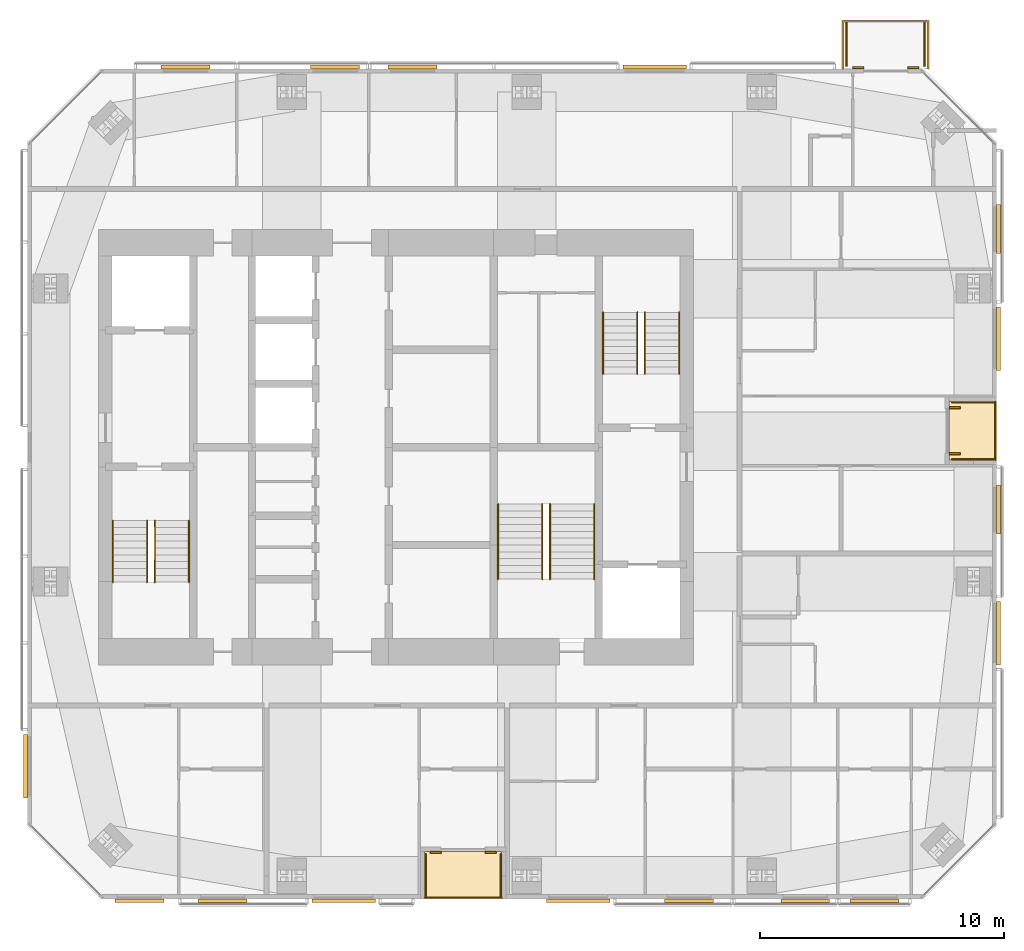
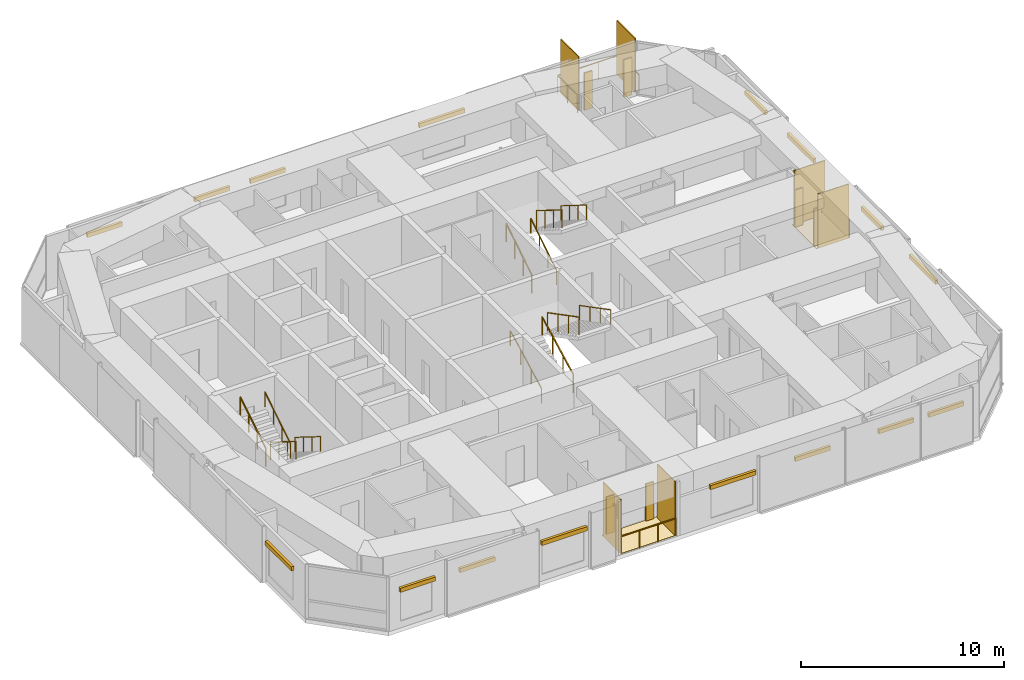
# One storey, part 20 of 20: 28 shading devices, 15 railings, 2 coverings.
"""IFC4 building model written with IfcOpenShell, lengths in metres."""

from ifc_helpers import new_model, si_unit, direction, frame, origin, origin_2d, place, context, subcontext, project, spatial, polyline, rectangle, circle, outline, extrude, material, layer, layer_set, constituent, constituent_set, type_object, element, save


model = new_model("IFC4")

# Units and contexts
model_context = context("Model", 3, precision=1e-05, world=origin(), true_north=direction((0.0, 1.0)))
body_context = subcontext(model_context, "Body", "Model", "MODEL_VIEW")
ifc_project = project(units=[si_unit("LENGTHUNIT", "METRE"), si_unit("AREAUNIT", "SQUARE_METRE"), si_unit("VOLUMEUNIT", "CUBIC_METRE"), si_unit("PLANEANGLEUNIT", "RADIAN"), si_unit("MASSUNIT", "GRAM", prefix="KILO")], contexts=[model_context])

# Site, building, storey
site_placement = place(None, origin())
site = spatial("IfcSite", under=ifc_project, at=site_placement, CompositionType="ELEMENT")
building_placement = place(site_placement, origin())
building = spatial("IfcBuilding", under=site, at=building_placement, Name="Jalousie Tower", CompositionType="ELEMENT")
storey_placement = place(building_placement, frame((0.0, 0.0, 238.949951171875)))
storey = spatial("IfcBuildingStorey", under=building, at=storey_placement, Name="L65", CompositionType="ELEMENT", Elevation=238.949951171875)

# Shading devices
ifc_material_1 = material(Name="Aluminium impact-rated louvred storm shutter", Category="aluminium")
shading_device_type_1 = type_object("IfcShadingDeviceType", Name="BI-FOLD STORM SHUTTER 900x2250", PredefinedType="SHUTTER", material=ifc_material_1)
for number, where, z_axis, x_axis, name in (
    (1, (33.52490234375, 1.909912109375, 0.0), (0.0, 0.0, 1.0), (1.0, 0.0, 0.0), "Loggia storm shutter L65"),
    (2, (35.77490234375, 1.909912109375, 0.0), (0.0, 0.0, 1.0), (1.0, 0.0, 0.0), "Loggia storm shutter L65"),
    (3, (54.77490234375, 18.235107421875, 0.0), (0.0, 0.0, 1.0), (-1.0, 0.0, 0.0), "Loggia storm shutter L65"),
    (4, (54.77490234375, 20.114990234375, 0.0), (0.0, 0.0, 1.0), (-1.0, 0.0, 0.0), "Loggia storm shutter L65"),
    (5, (53.07373046875, 34.0400390625, 0.0), (0.0, 0.0, 1.0), (-1.0, 0.0, 0.0), "Balcony storm shutter L65"),
    (6, (50.82373046875, 34.0400390625, 0.0), (0.0, 0.0, 1.0), (-1.0, 0.0, 0.0), "Balcony storm shutter L65"),
):
    element("IfcShadingDevice", number, at=place(storey_placement, frame(where, z_axis=z_axis, x_axis=x_axis)), inside=storey, type_object=shading_device_type_1, Name=name, PredefinedType="SHUTTER", context=body_context, shape_type="SweptSolid", body=[
        extrude(rectangle(XDim=0.449951171875, YDim=0.080078125, at=origin_2d()), origin(), (0.0, 0.0, 1.0), 2.25),
    ])

# Railings
ifc_material_2 = material(Name="Powder-coated aluminium fretwork", Category="aluminium")
railing_type_1 = type_object("IfcRailingType", Name="FRETWORK BALUSTRADE 1100", PredefinedType="BALUSTRADE", material=ifc_material_2)
railing_1_placement = place(storey_placement, frame((33.074951171875, 0.050048828125, 0.0)))
element("IfcRailing", 7, at=railing_1_placement, inside=storey, type_object=railing_type_1, Name="Loggia fretwork balustrade L65", PredefinedType="BALUSTRADE", context=body_context, shape_type="SweptSolid", body=[
    extrude(rectangle(XDim=0.048095703125, YDim=0.048095703125, at=origin_2d()), frame((0.0, 0.0, 1.076171875), z_axis=(1.0, 0.0, 0.0), x_axis=(0.0, 1.0, 0.0)), (0.0, 0.0, 1.0), 3.150146484375),
    extrude(circle(Radius=0.02099609375, at=origin_2d()), origin(), (0.0, 0.0, 1.0), 1.052001953125),
    extrude(circle(Radius=0.02099609375, at=origin_2d()), frame((1.050048828125, 0.0, 0.0)), (0.0, 0.0, 1.0), 1.052001953125),
    extrude(circle(Radius=0.02099609375, at=origin_2d()), frame((2.10009765625, 0.0, 0.0)), (0.0, 0.0, 1.0), 1.052001953125),
    extrude(circle(Radius=0.02099609375, at=origin_2d()), frame((3.150146484375, 0.0, 0.0)), (0.0, 0.0, 1.0), 1.052001953125),
])
railing_2_placement = place(storey_placement, frame((56.449951171875, 17.97509765625, 0.0)))
element("IfcRailing", 8, at=railing_2_placement, inside=storey, type_object=railing_type_1, Name="Loggia fretwork balustrade L65", PredefinedType="BALUSTRADE", context=body_context, shape_type="SweptSolid", body=[
    extrude(rectangle(XDim=0.048095703125, YDim=0.048095703125, at=origin_2d()), frame((0.0, 0.0, 1.076171875), z_axis=(0.0, 1.0, 0.0), x_axis=(-1.0, 0.0, 0.0)), (0.0, 0.0, 1.0), 2.39990234375),
    extrude(circle(Radius=0.02099609375, at=origin_2d()), origin(), (0.0, 0.0, 1.0), 1.052001953125),
    extrude(circle(Radius=0.02099609375, at=origin_2d()), frame((0.0, 1.199951171875, 0.0)), (0.0, 0.0, 1.0), 1.052001953125),
    extrude(circle(Radius=0.02099609375, at=origin_2d()), frame((0.0, 2.39990234375, 0.0)), (0.0, 0.0, 1.0), 1.052001953125),
])
railing_3_placement = place(storey_placement, frame((53.69873046875, 34.0, 0.0)))
element("IfcRailing", 9, at=railing_3_placement, inside=storey, type_object=railing_type_1, Name="Balcony fretwork balustrade L65", PredefinedType="BALUSTRADE", context=body_context, shape_type="SweptSolid", body=[
    extrude(rectangle(XDim=0.048095703125, YDim=0.048095703125, at=origin_2d()), frame((0.0, 0.0, 1.076171875), z_axis=(0.0, 1.0, 0.0), x_axis=(-1.0, 0.0, 0.0)), (0.0, 0.0, 1.0), 1.949951171875),
    extrude(rectangle(XDim=0.048095703125, YDim=0.048095703125, at=origin_2d()), frame((0.0, 1.949951171875, 1.076171875), z_axis=(-1.0, 0.0, 0.0), x_axis=(0.0, -1.0, 0.0)), (0.0, 0.0, 1.0), 3.5),
    extrude(rectangle(XDim=0.048095703125, YDim=0.048095703125, at=origin_2d()), frame((-3.5, 1.949951171875, 1.076171875), z_axis=(0.0, -1.0, 0.0), x_axis=(1.0, 0.0, 0.0)), (0.0, 0.0, 1.0), 1.949951171875),
    extrude(circle(Radius=0.02099609375, at=origin_2d()), origin(), (0.0, 0.0, 1.0), 1.052001953125),
    extrude(circle(Radius=0.02099609375, at=origin_2d()), frame((0.0, 0.97509765625, 0.0)), (0.0, 0.0, 1.0), 1.052001953125),
    extrude(circle(Radius=0.02099609375, at=origin_2d()), frame((0.0, 1.949951171875, 0.0)), (0.0, 0.0, 1.0), 1.052001953125),
    extrude(circle(Radius=0.02099609375, at=origin_2d()), frame((-1.166748046875, 1.949951171875, 0.0)), (0.0, 0.0, 1.0), 1.052001953125),
    extrude(circle(Radius=0.02099609375, at=origin_2d()), frame((-2.333251953125, 1.949951171875, 0.0)), (0.0, 0.0, 1.0), 1.052001953125),
    extrude(circle(Radius=0.02099609375, at=origin_2d()), frame((-3.5, 1.949951171875, 0.0)), (0.0, 0.0, 1.0), 1.052001953125),
    extrude(circle(Radius=0.02099609375, at=origin_2d()), frame((-3.5, 0.97509765625, 0.0)), (0.0, 0.0, 1.0), 1.052001953125),
    extrude(circle(Radius=0.02099609375, at=origin_2d()), frame((-3.5, 0.0, 0.0)), (0.0, 0.0, 1.0), 1.052001953125),
])

# Shading devices
ifc_material_3 = material(Name="Powder-coated aluminium louvres", Category="aluminium")
ifc_layer_1 = layer(ifc_material_3, 0.06005859375)
ifc_layer_set_1 = layer_set([ifc_layer_1], Name="Powder-coated aluminium louvres")
shading_device_type_2 = type_object("IfcShadingDeviceType", Name="JALOUSIE LOUVRE SCREEN", PredefinedType="JALOUSIE", material=ifc_layer_set_1)
for number, where, z_axis, x_axis, name in (
    (10, (33.10498046875, 0.97509765625, 0.0), (0.0, 0.0, 1.0), (1.0, 0.0, 0.0), "Loggia jalousie louvre screen L65"),
    (11, (36.195068359375, 0.97509765625, 0.0), (0.0, 0.0, 1.0), (1.0, 0.0, 0.0), "Loggia jalousie louvre screen L65"),
    (12, (55.52490234375, 18.0048828125, 0.0), (0.0, 0.0, 1.0), (0.0, 1.0, 0.0), "Loggia jalousie louvre screen L65"),
    (13, (55.52490234375, 20.344970703125, 0.0), (0.0, 0.0, 1.0), (0.0, 1.0, 0.0), "Loggia jalousie louvre screen L65"),
):
    element("IfcShadingDevice", number, at=place(storey_placement, frame(where, z_axis=z_axis, x_axis=x_axis)), inside=storey, type_object=shading_device_type_2, Name=name, PredefinedType="JALOUSIE", context=body_context, shape_type="SweptSolid", body=[
        extrude(rectangle(XDim=0.06005859375, YDim=1.75, at=origin_2d()), origin(), (0.0, 0.0, 1.0), 3.260009765625),
    ])
for number, where, z_axis, x_axis, name in (
    (14, (53.548583984375, 35.0, 0.0), (0.0, 0.0, 1.0), (-1.0, 0.0, 0.0), "Jalousie louvre screen L65"),
    (15, (50.3486328125, 35.0, 0.0), (0.0, 0.0, 1.0), (-1.0, 0.0, 0.0), "Jalousie louvre screen L65"),
):
    element("IfcShadingDevice", number, at=place(storey_placement, frame(where, z_axis=z_axis, x_axis=x_axis)), inside=storey, type_object=shading_device_type_2, Name=name, PredefinedType="JALOUSIE", context=body_context, shape_type="SweptSolid", body=[
        extrude(rectangle(XDim=0.06005859375, YDim=1.800048828125, at=origin_2d()), origin(), (0.0, 0.0, 1.0), 3.260009765625),
    ])

# Railings
ifc_material_4 = material(Name="Steel ASTM A500 Grade C", Category="steel")
ifc_constituent_1 = constituent(ifc_material_4, Name="Body")
ifc_material_5 = material(Name="Hot-dip galvanised zinc coating")
ifc_constituent_2 = constituent(ifc_material_5, Name="Finish")
ifc_constituent_set_1 = constituent_set(constituents=[ifc_constituent_1, ifc_constituent_2])
railing_type_2 = type_object("IfcRailingType", Name="STAIR GUARD 1100", PredefinedType="GUARDRAIL", material=ifc_constituent_set_1)
railing_4_placement = place(storey_placement, frame((22.017578125, 15.49755859375, 0.175048828125)))
element("IfcRailing", 16, at=railing_4_placement, inside=storey, type_object=railing_type_2, Name="Exit stair A guard L65 flight 1", PredefinedType="GUARDRAIL", context=body_context, shape_type="SweptSolid", body=[
    extrude(rectangle(XDim=0.048095703125, YDim=0.048095703125, at=origin_2d()), frame((0.0, 0.0, 1.076171875), z_axis=(0.0, -0.848007534815, 0.529984170421), x_axis=(1.0, 0.0, 0.0)), (0.0, 0.0, 1.0), 2.9716796875),
    extrude(circle(Radius=0.02099609375, at=origin_2d()), origin(), (0.0, 0.0, 1.0), 1.052001953125),
    extrude(circle(Radius=0.02099609375, at=origin_2d()), frame((0.0, -0.840087890625, 0.52490234375)), (0.0, 0.0, 1.0), 1.052001953125),
    extrude(circle(Radius=0.02099609375, at=origin_2d()), frame((0.0, -1.679931640625, 1.050048828125)), (0.0, 0.0, 1.0), 1.052001953125),
    extrude(circle(Radius=0.02099609375, at=origin_2d()), frame((0.0, -2.52001953125, 1.574951171875)), (0.0, 0.0, 1.0), 1.052001953125),
])
for number, where, name in (
    (17, (20.304931640625, 12.9775390625, 1.925048828125), "Exit stair A guard L65 flight 2"),
    (18, (40.3798828125, 21.50244140625, 0.175048828125), "Exit stair B guard L65 flight 1"),
):
    element("IfcRailing", number, at=place(storey_placement, frame(where)), inside=storey, type_object=railing_type_2, Name=name, PredefinedType="GUARDRAIL", context=body_context, shape_type="SweptSolid", body=[
        extrude(rectangle(XDim=0.048095703125, YDim=0.048095703125, at=origin_2d()), frame((0.0, 0.0, 1.076171875), z_axis=(0.0, 0.848007534815, 0.529984170421), x_axis=(-1.0, 0.0, 0.0)), (0.0, 0.0, 1.0), 2.9716796875),
        extrude(circle(Radius=0.02099609375, at=origin_2d()), origin(), (0.0, 0.0, 1.0), 1.052001953125),
        extrude(circle(Radius=0.02099609375, at=origin_2d()), frame((0.0, 0.840087890625, 0.52490234375)), (0.0, 0.0, 1.0), 1.052001953125),
        extrude(circle(Radius=0.02099609375, at=origin_2d()), frame((0.0, 1.679931640625, 1.050048828125)), (0.0, 0.0, 1.0), 1.052001953125),
        extrude(circle(Radius=0.02099609375, at=origin_2d()), frame((0.0, 2.52001953125, 1.574951171875)), (0.0, 0.0, 1.0), 1.052001953125),
    ])
railing_5_placement = place(storey_placement, frame((42.092529296875, 24.0224609375, 1.925048828125)))
element("IfcRailing", 19, at=railing_5_placement, inside=storey, type_object=railing_type_2, Name="Exit stair B guard L65 flight 2", PredefinedType="GUARDRAIL", context=body_context, shape_type="SweptSolid", body=[
    extrude(rectangle(XDim=0.048095703125, YDim=0.048095703125, at=origin_2d()), frame((0.0, 0.0, 1.076171875), z_axis=(0.0, -0.848007534815, 0.529984170421), x_axis=(1.0, 0.0, 0.0)), (0.0, 0.0, 1.0), 2.9716796875),
    extrude(circle(Radius=0.02099609375, at=origin_2d()), origin(), (0.0, 0.0, 1.0), 1.052001953125),
    extrude(circle(Radius=0.02099609375, at=origin_2d()), frame((0.0, -0.840087890625, 0.52490234375)), (0.0, 0.0, 1.0), 1.052001953125),
    extrude(circle(Radius=0.02099609375, at=origin_2d()), frame((0.0, -1.679931640625, 1.050048828125)), (0.0, 0.0, 1.0), 1.052001953125),
    extrude(circle(Radius=0.02099609375, at=origin_2d()), frame((0.0, -2.52001953125, 1.574951171875)), (0.0, 0.0, 1.0), 1.052001953125),
])
railing_6_placement = place(storey_placement, frame((37.89501953125, 13.097412109375, 0.145751953125)))
element("IfcRailing", 20, at=railing_6_placement, inside=storey, type_object=railing_type_2, Name="Exit stair C guard L65 flight 1", PredefinedType="GUARDRAIL", context=body_context, shape_type="SweptSolid", body=[
    extrude(rectangle(XDim=0.048095703125, YDim=0.048095703125, at=origin_2d()), frame((0.0, 0.0, 1.076171875), z_axis=(0.0, 0.886909283822, 0.461943635383), x_axis=(-1.0, 0.0, 0.0)), (0.0, 0.0, 1.0), 3.472900390625),
    extrude(circle(Radius=0.02099609375, at=origin_2d()), origin(), (0.0, 0.0, 1.0), 1.052001953125),
    extrude(circle(Radius=0.02099609375, at=origin_2d()), frame((0.0, 1.026611328125, 0.53466796875)), (0.0, 0.0, 1.0), 1.052001953125),
    extrude(circle(Radius=0.02099609375, at=origin_2d()), frame((0.0, 2.053466796875, 1.069580078125)), (0.0, 0.0, 1.0), 1.052001953125),
    extrude(circle(Radius=0.02099609375, at=origin_2d()), frame((0.0, 3.080078125, 1.604248046875)), (0.0, 0.0, 1.0), 1.052001953125),
])
railing_7_placement = place(storey_placement, frame((38.205078125, 16.177490234375, 1.895751953125)))
element("IfcRailing", 21, at=railing_7_placement, inside=storey, type_object=railing_type_2, Name="Exit stair C guard L65 flight 2", PredefinedType="GUARDRAIL", context=body_context, shape_type="SweptSolid", body=[
    extrude(rectangle(XDim=0.048095703125, YDim=0.048095703125, at=origin_2d()), frame((0.0, 0.0, 1.076171875), z_axis=(0.0, -0.886909283822, 0.461943635383), x_axis=(1.0, 0.0, 0.0)), (0.0, 0.0, 1.0), 3.472900390625),
    extrude(circle(Radius=0.02099609375, at=origin_2d()), origin(), (0.0, 0.0, 1.0), 1.052001953125),
    extrude(circle(Radius=0.02099609375, at=origin_2d()), frame((0.0, -1.026611328125, 0.53466796875)), (0.0, 0.0, 1.0), 1.052001953125),
    extrude(circle(Radius=0.02099609375, at=origin_2d()), frame((0.0, -2.053466796875, 1.069580078125)), (0.0, 0.0, 1.0), 1.052001953125),
    extrude(circle(Radius=0.02099609375, at=origin_2d()), frame((0.0, -3.080078125, 1.604248046875)), (0.0, 0.0, 1.0), 1.052001953125),
])
ifc_material_6 = material(Name="Steel ASTM A500 Grade C", Category="steel")
ifc_constituent_3 = constituent(ifc_material_6, Name="Body")
ifc_material_7 = material(Name="Hot-dip galvanised zinc coating")
ifc_constituent_4 = constituent(ifc_material_7, Name="Finish")
ifc_constituent_set_2 = constituent_set(constituents=[ifc_constituent_3, ifc_constituent_4])
railing_type_3 = type_object("IfcRailingType", Name="STAIR HANDRAIL 900", PredefinedType="HANDRAIL", material=ifc_constituent_set_2)
railing_8_placement = place(storey_placement, frame((23.420166015625, 15.49755859375, 0.175048828125)))
element("IfcRailing", 22, at=railing_8_placement, inside=storey, type_object=railing_type_3, Name="Exit stair A handrail L65 flight 1", PredefinedType="HANDRAIL", context=body_context, shape_type="SweptSolid", body=[
    extrude(circle(Radius=0.02392578125, at=origin_2d()), frame((0.0, 0.0, 0.8759765625), z_axis=(0.0, -0.848007534815, 0.529984170421), x_axis=(1.0, 0.0, 0.0)), (0.0, 0.0, 1.0), 2.9716796875),
    extrude(circle(Radius=0.02099609375, at=origin_2d()), origin(), (0.0, 0.0, 1.0), 0.851806640625),
    extrude(circle(Radius=0.02099609375, at=origin_2d()), frame((0.0, -0.840087890625, 0.52490234375)), (0.0, 0.0, 1.0), 0.851806640625),
    extrude(circle(Radius=0.02099609375, at=origin_2d()), frame((0.0, -1.679931640625, 1.050048828125)), (0.0, 0.0, 1.0), 0.851806640625),
    extrude(circle(Radius=0.02099609375, at=origin_2d()), frame((0.0, -2.52001953125, 1.574951171875)), (0.0, 0.0, 1.0), 0.851806640625),
])
for number, where, name in (
    (23, (21.70751953125, 12.9775390625, 1.925048828125), "Exit stair A handrail L65 flight 2"),
    (24, (41.782470703125, 21.50244140625, 0.175048828125), "Exit stair B handrail L65 flight 1"),
):
    element("IfcRailing", number, at=place(storey_placement, frame(where)), inside=storey, type_object=railing_type_3, Name=name, PredefinedType="HANDRAIL", context=body_context, shape_type="SweptSolid", body=[
        extrude(circle(Radius=0.02392578125, at=origin_2d()), frame((0.0, 0.0, 0.8759765625), z_axis=(0.0, 0.848007534815, 0.529984170421), x_axis=(-1.0, 0.0, 0.0)), (0.0, 0.0, 1.0), 2.9716796875),
        extrude(circle(Radius=0.02099609375, at=origin_2d()), origin(), (0.0, 0.0, 1.0), 0.851806640625),
        extrude(circle(Radius=0.02099609375, at=origin_2d()), frame((0.0, 0.840087890625, 0.52490234375)), (0.0, 0.0, 1.0), 0.851806640625),
        extrude(circle(Radius=0.02099609375, at=origin_2d()), frame((0.0, 1.679931640625, 1.050048828125)), (0.0, 0.0, 1.0), 0.851806640625),
        extrude(circle(Radius=0.02099609375, at=origin_2d()), frame((0.0, 2.52001953125, 1.574951171875)), (0.0, 0.0, 1.0), 0.851806640625),
    ])
railing_9_placement = place(storey_placement, frame((43.4951171875, 24.0224609375, 1.925048828125)))
element("IfcRailing", 25, at=railing_9_placement, inside=storey, type_object=railing_type_3, Name="Exit stair B handrail L65 flight 2", PredefinedType="HANDRAIL", context=body_context, shape_type="SweptSolid", body=[
    extrude(circle(Radius=0.02392578125, at=origin_2d()), frame((0.0, 0.0, 0.8759765625), z_axis=(0.0, -0.848007534815, 0.529984170421), x_axis=(1.0, 0.0, 0.0)), (0.0, 0.0, 1.0), 2.9716796875),
    extrude(circle(Radius=0.02099609375, at=origin_2d()), origin(), (0.0, 0.0, 1.0), 0.851806640625),
    extrude(circle(Radius=0.02099609375, at=origin_2d()), frame((0.0, -0.840087890625, 0.52490234375)), (0.0, 0.0, 1.0), 0.851806640625),
    extrude(circle(Radius=0.02099609375, at=origin_2d()), frame((0.0, -1.679931640625, 1.050048828125)), (0.0, 0.0, 1.0), 0.851806640625),
    extrude(circle(Radius=0.02099609375, at=origin_2d()), frame((0.0, -2.52001953125, 1.574951171875)), (0.0, 0.0, 1.0), 0.851806640625),
])
railing_10_placement = place(storey_placement, frame((36.080078125, 13.097412109375, 0.145751953125)))
element("IfcRailing", 26, at=railing_10_placement, inside=storey, type_object=railing_type_3, Name="Exit stair C handrail L65 flight 1", PredefinedType="HANDRAIL", context=body_context, shape_type="SweptSolid", body=[
    extrude(circle(Radius=0.02392578125, at=origin_2d()), frame((0.0, 0.0, 0.8759765625), z_axis=(0.0, 0.886909283822, 0.461943635383), x_axis=(-1.0, 0.0, 0.0)), (0.0, 0.0, 1.0), 3.472900390625),
    extrude(circle(Radius=0.02099609375, at=origin_2d()), origin(), (0.0, 0.0, 1.0), 0.851806640625),
    extrude(circle(Radius=0.02099609375, at=origin_2d()), frame((0.0, 1.026611328125, 0.53466796875)), (0.0, 0.0, 1.0), 0.851806640625),
    extrude(circle(Radius=0.02099609375, at=origin_2d()), frame((0.0, 2.053466796875, 1.069580078125)), (0.0, 0.0, 1.0), 0.851806640625),
    extrude(circle(Radius=0.02099609375, at=origin_2d()), frame((0.0, 3.080078125, 1.604248046875)), (0.0, 0.0, 1.0), 0.851806640625),
])
railing_11_placement = place(storey_placement, frame((40.02001953125, 16.177490234375, 1.895751953125)))
element("IfcRailing", 27, at=railing_11_placement, inside=storey, type_object=railing_type_3, Name="Exit stair C handrail L65 flight 2", PredefinedType="HANDRAIL", context=body_context, shape_type="SweptSolid", body=[
    extrude(circle(Radius=0.02392578125, at=origin_2d()), frame((0.0, 0.0, 0.8759765625), z_axis=(0.0, -0.886909283822, 0.461943635383), x_axis=(1.0, 0.0, 0.0)), (0.0, 0.0, 1.0), 3.472900390625),
    extrude(circle(Radius=0.02099609375, at=origin_2d()), origin(), (0.0, 0.0, 1.0), 0.851806640625),
    extrude(circle(Radius=0.02099609375, at=origin_2d()), frame((0.0, -1.026611328125, 0.53466796875)), (0.0, 0.0, 1.0), 0.851806640625),
    extrude(circle(Radius=0.02099609375, at=origin_2d()), frame((0.0, -2.053466796875, 1.069580078125)), (0.0, 0.0, 1.0), 0.851806640625),
    extrude(circle(Radius=0.02099609375, at=origin_2d()), frame((0.0, -3.080078125, 1.604248046875)), (0.0, 0.0, 1.0), 0.851806640625),
])

# Shading devices
ifc_material_8 = material(Name="Aluminium roller storm shutter", Category="aluminium")
shading_device_type_3 = type_object("IfcShadingDeviceType", Name="STORM SHUTTER HOUSING", PredefinedType="SHUTTER", material=ifc_material_8)
for number, where, z_axis, x_axis, name in (
    (28, (21.3876953125, -0.074951171875, 2.25), (0.0, 0.0, 1.0), (1.0, 0.0, 0.0), "Storm shutter L65"),
    (29, (24.800048828125, -0.074951171875, 2.25), (0.0, 0.0, 1.0), (1.0, 0.0, 0.0), "Storm shutter L65"),
):
    element("IfcShadingDevice", number, at=place(storey_placement, frame(where, z_axis=z_axis, x_axis=x_axis)), inside=storey, type_object=shading_device_type_3, Name=name, PredefinedType="SHUTTER", context=body_context, shape_type="SweptSolid", body=[
        extrude(rectangle(XDim=2.0, YDim=0.14990234375, at=origin_2d()), origin(), (0.0, 0.0, 1.0), 0.25),
    ])
for number, where, z_axis, x_axis, name in (
    (30, (29.75, -0.074951171875, 2.25), (0.0, 0.0, 1.0), (1.0, 0.0, 0.0), "Storm shutter L65"),
    (31, (39.360107421875, -0.074951171875, 2.25), (0.0, 0.0, 1.0), (1.0, 0.0, 0.0), "Storm shutter L65"),
):
    element("IfcShadingDevice", number, at=place(storey_placement, frame(where, z_axis=z_axis, x_axis=x_axis)), inside=storey, type_object=shading_device_type_3, Name=name, PredefinedType="SHUTTER", context=body_context, shape_type="SweptSolid", body=[
        extrude(rectangle(XDim=2.60009765625, YDim=0.14990234375, at=origin_2d()), origin(), (0.0, 0.0, 1.0), 0.25),
    ])
for number, where, z_axis, x_axis, name in (
    (32, (43.89990234375, -0.074951171875, 2.25), (0.0, 0.0, 1.0), (1.0, 0.0, 0.0), "Storm shutter L65"),
    (33, (48.657470703125, -0.074951171875, 2.25), (0.0, 0.0, 1.0), (1.0, 0.0, 0.0), "Storm shutter L65"),
    (34, (51.5, -0.074951171875, 2.25), (0.0, 0.0, 1.0), (1.0, 0.0, 0.0), "Storm shutter L65"),
):
    element("IfcShadingDevice", number, at=place(storey_placement, frame(where, z_axis=z_axis, x_axis=x_axis)), inside=storey, type_object=shading_device_type_3, Name=name, PredefinedType="SHUTTER", context=body_context, shape_type="SweptSolid", body=[
        extrude(rectangle(XDim=2.0, YDim=0.14990234375, at=origin_2d()), origin(), (0.0, 0.0, 1.0), 0.25),
    ])
shading_device_1_placement = place(storey_placement, frame((56.574951171875, 10.891357421875, 2.25), z_axis=(0.0, 0.0, 1.0), x_axis=(0.0, 1.0, 0.0)))
element("IfcShadingDevice", 35, at=shading_device_1_placement, inside=storey, type_object=shading_device_type_3, Name="Storm shutter L65", PredefinedType="SHUTTER", context=body_context, shape_type="SweptSolid", body=[
    extrude(rectangle(XDim=2.60009765625, YDim=0.14990234375, at=origin_2d()), origin(), (0.0, 0.0, 1.0), 0.25),
])
shading_device_2_placement = place(storey_placement, frame((56.574951171875, 15.949951171875, 2.25), z_axis=(0.0, 0.0, 1.0), x_axis=(0.0, 1.0, 0.0)))
element("IfcShadingDevice", 36, at=shading_device_2_placement, inside=storey, type_object=shading_device_type_3, Name="Storm shutter L65", PredefinedType="SHUTTER", context=body_context, shape_type="SweptSolid", body=[
    extrude(rectangle(XDim=2.0, YDim=0.14990234375, at=origin_2d()), origin(), (0.0, 0.0, 1.0), 0.25),
])
shading_device_3_placement = place(storey_placement, frame((56.574951171875, 22.949951171875, 2.25), z_axis=(0.0, 0.0, 1.0), x_axis=(0.0, 1.0, 0.0)))
element("IfcShadingDevice", 37, at=shading_device_3_placement, inside=storey, type_object=shading_device_type_3, Name="Storm shutter L65", PredefinedType="SHUTTER", context=body_context, shape_type="SweptSolid", body=[
    extrude(rectangle(XDim=2.60009765625, YDim=0.14990234375, at=origin_2d()), origin(), (0.0, 0.0, 1.0), 0.25),
])
shading_device_4_placement = place(storey_placement, frame((56.574951171875, 27.4375, 2.25), z_axis=(0.0, 0.0, 1.0), x_axis=(0.0, 1.0, 0.0)))
element("IfcShadingDevice", 38, at=shading_device_4_placement, inside=storey, type_object=shading_device_type_3, Name="Storm shutter L65", PredefinedType="SHUTTER", context=body_context, shape_type="SweptSolid", body=[
    extrude(rectangle(XDim=2.0, YDim=0.14990234375, at=origin_2d()), origin(), (0.0, 0.0, 1.0), 0.25),
])
shading_device_5_placement = place(storey_placement, frame((42.48876953125, 34.074951171875, 2.25), z_axis=(0.0, 0.0, 1.0), x_axis=(-1.0, 0.0, 0.0)))
element("IfcShadingDevice", 39, at=shading_device_5_placement, inside=storey, type_object=shading_device_type_3, Name="Storm shutter L65", PredefinedType="SHUTTER", context=body_context, shape_type="SweptSolid", body=[
    extrude(rectangle(XDim=2.60009765625, YDim=0.14990234375, at=origin_2d()), origin(), (0.0, 0.0, 1.0), 0.25),
])
for number, where, z_axis, x_axis, name in (
    (40, (32.574951171875, 34.074951171875, 2.25), (0.0, 0.0, 1.0), (-1.0, 0.0, 0.0), "Storm shutter L65"),
    (41, (29.405029296875, 34.074951171875, 2.25), (0.0, 0.0, 1.0), (-1.0, 0.0, 0.0), "Storm shutter L65"),
    (42, (23.275634765625, 34.074951171875, 2.25), (0.0, 0.0, 1.0), (-1.0, 0.0, 0.0), "Storm shutter L65"),
):
    element("IfcShadingDevice", number, at=place(storey_placement, frame(where, z_axis=z_axis, x_axis=x_axis)), inside=storey, type_object=shading_device_type_3, Name=name, PredefinedType="SHUTTER", context=body_context, shape_type="SweptSolid", body=[
        extrude(rectangle(XDim=2.0, YDim=0.14990234375, at=origin_2d()), origin(), (0.0, 0.0, 1.0), 0.25),
    ])
shading_device_6_placement = place(storey_placement, frame((16.72509765625, 5.43798828125, 2.25), z_axis=(0.0, 0.0, 1.0), x_axis=(0.0, -1.0, 0.0)))
element("IfcShadingDevice", 43, at=shading_device_6_placement, inside=storey, type_object=shading_device_type_3, Name="Storm shutter L65", PredefinedType="SHUTTER", context=body_context, shape_type="SweptSolid", body=[
    extrude(rectangle(XDim=2.60009765625, YDim=0.14990234375, at=origin_2d()), origin(), (0.0, 0.0, 1.0), 0.25),
])

# Coverings
ifc_material_9 = material(Name="Porcelain paving on adjustable pedestals", Category="masonry")
ifc_layer_2 = layer(ifc_material_9, 0.02001953125)
ifc_layer_set_2 = layer_set([ifc_layer_2], Name="Porcelain paving on adjustable pedestals")
covering_type = type_object("IfcCoveringType", Name="TERRACE PAVING 20", PredefinedType="FLOORING", material=ifc_layer_set_2)
covering_1_placement = place(storey_placement, origin())
element("IfcCovering", 44, at=covering_1_placement, inside=storey, type_object=covering_type, Name="Apartment 6502 terrace paving", PredefinedType="FLOORING", context=body_context, shape_type="SweptSolid", body=[
    extrude(outline(polyline([(33.074951171875, 0.080078125), (36.22509765625, 0.080078125), (36.22509765625, 1.949951171875), (33.074951171875, 1.949951171875), (33.074951171875, 0.080078125)])), origin(), (0.0, 0.0, 1.0), 0.02001953125),
])
covering_2_placement = place(storey_placement, origin())
element("IfcCovering", 45, at=covering_2_placement, inside=storey, type_object=covering_type, Name="Apartment 6506 terrace paving", PredefinedType="FLOORING", context=body_context, shape_type="SweptSolid", body=[
    extrude(outline(polyline([(56.419921875, 17.97509765625), (56.419921875, 20.375), (54.550048828125, 20.375), (54.550048828125, 17.97509765625), (56.419921875, 17.97509765625)])), origin(), (0.0, 0.0, 1.0), 0.02001953125),
])

save(model, "model.ifc")
